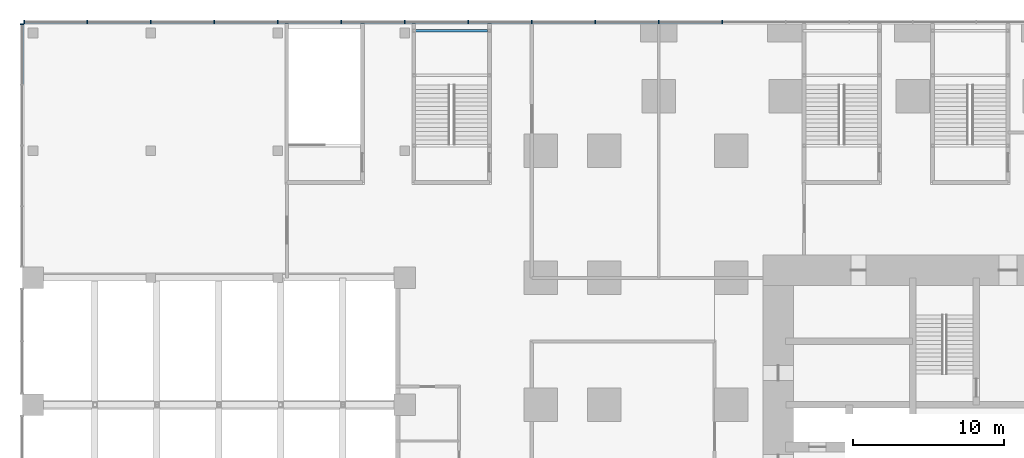
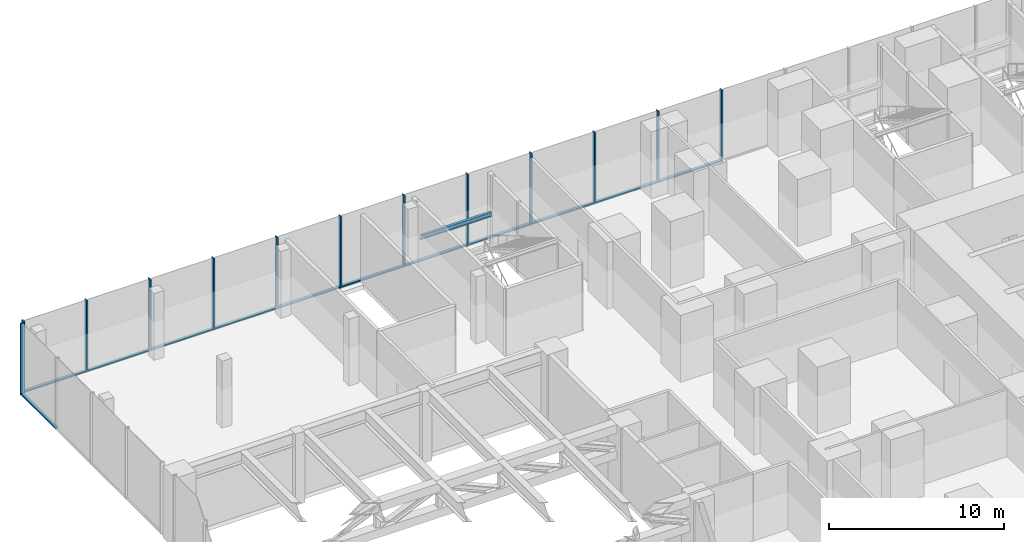
# One storey, part 21 of 33: 25 members, 1 beam, 2 elements without a shape of their own.
"""IFC4 building model written with IfcOpenShell, lengths in metres."""

from ifc_helpers import new_model, si_unit, direction, frame, origin, origin_2d, place, context, subcontext, project, spatial, rectangle, i_section, extrude, material, material_profile, profile_set, type_object, element, aggregate, save


model = new_model("IFC4")

# Units and contexts
model_context = context("Model", 3, precision=1e-05, world=origin(), true_north=direction((0.0, 1.0)))
body_context = subcontext(model_context, "Body", "Model", "MODEL_VIEW")
ifc_project = project(units=[si_unit("LENGTHUNIT", "METRE"), si_unit("AREAUNIT", "SQUARE_METRE"), si_unit("VOLUMEUNIT", "CUBIC_METRE"), si_unit("PLANEANGLEUNIT", "RADIAN"), si_unit("MASSUNIT", "GRAM", prefix="KILO")], contexts=[model_context])

# Site, building, storey
site_placement = place(None, origin())
site = spatial("IfcSite", under=ifc_project, at=site_placement, CompositionType="ELEMENT")
building_placement = place(site_placement, origin())
building = spatial("IfcBuilding", under=site, at=building_placement, Name="Dunama Terrace Hotel", CompositionType="ELEMENT")
storey_placement = place(building_placement, frame((0.0, 0.0, 12.0)))
storey = spatial("IfcBuildingStorey", under=building, at=storey_placement, Name="L02", CompositionType="ELEMENT", Elevation=12.0)

# Curtain wall, members
ifc_material_1 = material(Name="Aluminium curtain wall system", Category="aluminium")
curtain_wall_type = type_object("IfcCurtainWallType", Name="Podium storefront glazing CW-E", PredefinedType="NOTDEFINED", material=ifc_material_1)
curtain_wall_1_placement = place(storey_placement, origin())
curtain_wall_1 = element("IfcCurtainWall", 1, at=curtain_wall_1_placement, inside=storey, type_object=curtain_wall_type, Name="Podium storefront glazing CW-E L02", PredefinedType="NOTDEFINED")
ifc_material_2 = material(Name="Aluminium mullion", Category="aluminium")
ifc_material_profile_1 = material_profile(ifc_material_2, rectangle(XDim=0.080078125, YDim=0.25, at=origin_2d()), Name="CWE MULLION 80X250")
ifc_profile_set_1 = profile_set([ifc_material_profile_1], Name="Aluminium mullion")
member_type_1 = type_object("IfcMemberType", Name="CWE mullion 80x250", PredefinedType="MULLION", material=ifc_profile_set_1)
member_1_placement = place(storey_placement, frame((12.60009765625, 58.925048828125, 0.0), z_axis=(0.0, 0.0, 1.0), x_axis=(-1.0, 0.0, 0.0)))
member_1 = element("IfcMember", 2, at=member_1_placement, type_object=member_type_1, Name="CWE mullion", PredefinedType="MULLION", context=body_context, shape_type="SweptSolid", body=[
    extrude(rectangle(XDim=0.080078125, YDim=0.25, at=origin_2d()), origin(), (0.0, 0.0, 1.0), 5.0),
])
member_2_placement = place(storey_placement, frame((8.39990234375, 58.925048828125, 0.0), z_axis=(0.0, 0.0, 1.0), x_axis=(-1.0, 0.0, 0.0)))
member_2 = element("IfcMember", 3, at=member_2_placement, type_object=member_type_1, Name="CWE mullion", PredefinedType="MULLION", context=body_context, shape_type="SweptSolid", body=[
    extrude(rectangle(XDim=0.080078125, YDim=0.25, at=origin_2d()), origin(), (0.0, 0.0, 1.0), 5.0),
])
member_3_placement = place(storey_placement, frame((4.199951171875, 58.925048828125, 0.0), z_axis=(0.0, 0.0, 1.0), x_axis=(-1.0, 0.0, 0.0)))
member_3 = element("IfcMember", 4, at=member_3_placement, type_object=member_type_1, Name="CWE mullion", PredefinedType="MULLION", context=body_context, shape_type="SweptSolid", body=[
    extrude(rectangle(XDim=0.080078125, YDim=0.25, at=origin_2d()), origin(), (0.0, 0.0, 1.0), 5.0),
])
member_4_placement = place(storey_placement, frame((0.0, 58.925048828125, 0.0), z_axis=(0.0, 0.0, 1.0), x_axis=(-1.0, 0.0, 0.0)))
member_4 = element("IfcMember", 5, at=member_4_placement, type_object=member_type_1, Name="CWE mullion", PredefinedType="MULLION", context=body_context, shape_type="SweptSolid", body=[
    extrude(rectangle(XDim=0.080078125, YDim=0.25, at=origin_2d()), origin(), (0.0, 0.0, 1.0), 5.0),
])
member_5_placement = place(storey_placement, frame((-4.199951171875, 58.925048828125, 0.0), z_axis=(0.0, 0.0, 1.0), x_axis=(-1.0, 0.0, 0.0)))
member_5 = element("IfcMember", 6, at=member_5_placement, type_object=member_type_1, Name="CWE mullion", PredefinedType="MULLION", context=body_context, shape_type="SweptSolid", body=[
    extrude(rectangle(XDim=0.080078125, YDim=0.25, at=origin_2d()), origin(), (0.0, 0.0, 1.0), 5.0),
])
member_6_placement = place(storey_placement, frame((-8.39990234375, 58.925048828125, 0.0), z_axis=(0.0, 0.0, 1.0), x_axis=(-1.0, 0.0, 0.0)))
member_6 = element("IfcMember", 7, at=member_6_placement, type_object=member_type_1, Name="CWE mullion", PredefinedType="MULLION", context=body_context, shape_type="SweptSolid", body=[
    extrude(rectangle(XDim=0.080078125, YDim=0.25, at=origin_2d()), origin(), (0.0, 0.0, 1.0), 5.0),
])
member_7_placement = place(storey_placement, frame((-12.60009765625, 58.925048828125, 0.0), z_axis=(0.0, 0.0, 1.0), x_axis=(-1.0, 0.0, 0.0)))
member_7 = element("IfcMember", 8, at=member_7_placement, type_object=member_type_1, Name="CWE mullion", PredefinedType="MULLION", context=body_context, shape_type="SweptSolid", body=[
    extrude(rectangle(XDim=0.080078125, YDim=0.25, at=origin_2d()), origin(), (0.0, 0.0, 1.0), 5.0),
])
member_8_placement = place(storey_placement, frame((-16.800048828125, 58.925048828125, 0.0), z_axis=(0.0, 0.0, 1.0), x_axis=(-1.0, 0.0, 0.0)))
member_8 = element("IfcMember", 9, at=member_8_placement, type_object=member_type_1, Name="CWE mullion", PredefinedType="MULLION", context=body_context, shape_type="SweptSolid", body=[
    extrude(rectangle(XDim=0.080078125, YDim=0.25, at=origin_2d()), origin(), (0.0, 0.0, 1.0), 5.0),
])
member_9_placement = place(storey_placement, frame((-21.0, 58.925048828125, 0.0), z_axis=(0.0, 0.0, 1.0), x_axis=(-1.0, 0.0, 0.0)))
member_9 = element("IfcMember", 10, at=member_9_placement, type_object=member_type_1, Name="CWE mullion", PredefinedType="MULLION", context=body_context, shape_type="SweptSolid", body=[
    extrude(rectangle(XDim=0.080078125, YDim=0.25, at=origin_2d()), origin(), (0.0, 0.0, 1.0), 5.0),
])
member_10_placement = place(storey_placement, frame((-25.199951171875, 58.925048828125, 0.0), z_axis=(0.0, 0.0, 1.0), x_axis=(-1.0, 0.0, 0.0)))
member_10 = element("IfcMember", 11, at=member_10_placement, type_object=member_type_1, Name="CWE mullion", PredefinedType="MULLION", context=body_context, shape_type="SweptSolid", body=[
    extrude(rectangle(XDim=0.080078125, YDim=0.25, at=origin_2d()), origin(), (0.0, 0.0, 1.0), 5.0),
])
member_11_placement = place(storey_placement, frame((-29.39990234375, 58.925048828125, 0.0), z_axis=(0.0, 0.0, 1.0), x_axis=(-1.0, 0.0, 0.0)))
member_11 = element("IfcMember", 12, at=member_11_placement, type_object=member_type_1, Name="CWE mullion", PredefinedType="MULLION", context=body_context, shape_type="SweptSolid", body=[
    extrude(rectangle(XDim=0.080078125, YDim=0.25, at=origin_2d()), origin(), (0.0, 0.0, 1.0), 5.0),
])
member_12_placement = place(storey_placement, frame((-33.56005859375, 58.925048828125, 0.0), z_axis=(0.0, 0.0, 1.0), x_axis=(-1.0, 0.0, 0.0)))
member_12 = element("IfcMember", 13, at=member_12_placement, type_object=member_type_1, Name="CWE mullion", PredefinedType="MULLION", context=body_context, shape_type="SweptSolid", body=[
    extrude(rectangle(XDim=0.080078125, YDim=0.25, at=origin_2d()), origin(), (0.0, 0.0, 1.0), 5.0),
])

# Curtain wall, member
curtain_wall_2_placement = place(storey_placement, origin())
curtain_wall_2 = element("IfcCurtainWall", 14, at=curtain_wall_2_placement, inside=storey, type_object=curtain_wall_type, Name="Podium storefront glazing CW-E L02", PredefinedType="NOTDEFINED")
member_13_placement = place(storey_placement, frame((-33.72509765625, 58.760009765625, 0.0), z_axis=(0.0, 0.0, 1.0), x_axis=(0.0, -1.0, 0.0)))
member_13 = element("IfcMember", 15, at=member_13_placement, type_object=member_type_1, Name="CWE mullion", PredefinedType="MULLION", context=body_context, shape_type="SweptSolid", body=[
    extrude(rectangle(XDim=0.080078125, YDim=0.25, at=origin_2d()), origin(), (0.0, 0.0, 1.0), 5.0),
])

# Member
ifc_material_3 = material(Name="Aluminium transom", Category="aluminium")
ifc_material_profile_2 = material_profile(ifc_material_3, rectangle(XDim=0.199951171875, YDim=0.090087890625, at=origin_2d()), Name="CWE TRANSOM 200X90")
ifc_profile_set_2 = profile_set([ifc_material_profile_2], Name="Aluminium transom")
member_type_2 = type_object("IfcMemberType", Name="CWE transom 200x90", PredefinedType="USERDEFINED", material=ifc_profile_set_2)
member_14_placement = place(storey_placement, frame((12.56005859375, 58.925048828125, 0.044921875), z_axis=(-1.0, 0.0, 0.0), x_axis=(0.0, -1.0, 0.0)))
member_14 = element("IfcMember", 16, at=member_14_placement, type_object=member_type_2, Name="CWE transom", ObjectType="TRANSOM", PredefinedType="USERDEFINED", context=body_context, shape_type="SweptSolid", body=[
    extrude(rectangle(XDim=0.199951171875, YDim=0.090087890625, at=origin_2d()), origin(), (0.0, 0.0, 1.0), 4.1201171875),
])

member_15_placement = place(storey_placement, frame((8.360107421875, 58.925048828125, 0.044921875), z_axis=(-1.0, 0.0, 0.0), x_axis=(0.0, -1.0, 0.0)))
member_15 = element("IfcMember", 17, at=member_15_placement, type_object=member_type_2, Name="CWE transom", ObjectType="TRANSOM", PredefinedType="USERDEFINED", context=body_context, shape_type="SweptSolid", body=[
    extrude(rectangle(XDim=0.199951171875, YDim=0.090087890625, at=origin_2d()), origin(), (0.0, 0.0, 1.0), 4.1201171875),
])

member_16_placement = place(storey_placement, frame((4.159912109375, 58.925048828125, 0.044921875), z_axis=(-1.0, 0.0, 0.0), x_axis=(0.0, -1.0, 0.0)))
member_16 = element("IfcMember", 18, at=member_16_placement, type_object=member_type_2, Name="CWE transom", ObjectType="TRANSOM", PredefinedType="USERDEFINED", context=body_context, shape_type="SweptSolid", body=[
    extrude(rectangle(XDim=0.199951171875, YDim=0.090087890625, at=origin_2d()), origin(), (0.0, 0.0, 1.0), 4.119873046875),
])

member_17_placement = place(storey_placement, frame((-0.0400390625, 58.925048828125, 0.044921875), z_axis=(-1.0, 0.0, 0.0), x_axis=(0.0, -1.0, 0.0)))
member_17 = element("IfcMember", 19, at=member_17_placement, type_object=member_type_2, Name="CWE transom", ObjectType="TRANSOM", PredefinedType="USERDEFINED", context=body_context, shape_type="SweptSolid", body=[
    extrude(rectangle(XDim=0.199951171875, YDim=0.090087890625, at=origin_2d()), origin(), (0.0, 0.0, 1.0), 4.119873046875),
])

member_18_placement = place(storey_placement, frame((-4.239990234375, 58.925048828125, 0.044921875), z_axis=(-1.0, 0.0, 0.0), x_axis=(0.0, -1.0, 0.0)))
member_18 = element("IfcMember", 20, at=member_18_placement, type_object=member_type_2, Name="CWE transom", ObjectType="TRANSOM", PredefinedType="USERDEFINED", context=body_context, shape_type="SweptSolid", body=[
    extrude(rectangle(XDim=0.199951171875, YDim=0.090087890625, at=origin_2d()), origin(), (0.0, 0.0, 1.0), 4.1201171875),
])

member_19_placement = place(storey_placement, frame((-8.43994140625, 58.925048828125, 0.044921875), z_axis=(-1.0, 0.0, 0.0), x_axis=(0.0, -1.0, 0.0)))
member_19 = element("IfcMember", 21, at=member_19_placement, type_object=member_type_2, Name="CWE transom", ObjectType="TRANSOM", PredefinedType="USERDEFINED", context=body_context, shape_type="SweptSolid", body=[
    extrude(rectangle(XDim=0.199951171875, YDim=0.090087890625, at=origin_2d()), origin(), (0.0, 0.0, 1.0), 4.1201171875),
])

member_20_placement = place(storey_placement, frame((-12.639892578125, 58.925048828125, 0.044921875), z_axis=(-1.0, 0.0, 0.0), x_axis=(0.0, -1.0, 0.0)))
member_20 = element("IfcMember", 22, at=member_20_placement, type_object=member_type_2, Name="CWE transom", ObjectType="TRANSOM", PredefinedType="USERDEFINED", context=body_context, shape_type="SweptSolid", body=[
    extrude(rectangle(XDim=0.199951171875, YDim=0.090087890625, at=origin_2d()), origin(), (0.0, 0.0, 1.0), 4.1201171875),
])

member_21_placement = place(storey_placement, frame((-16.840087890625, 58.925048828125, 0.044921875), z_axis=(-1.0, 0.0, 0.0), x_axis=(0.0, -1.0, 0.0)))
member_21 = element("IfcMember", 23, at=member_21_placement, type_object=member_type_2, Name="CWE transom", ObjectType="TRANSOM", PredefinedType="USERDEFINED", context=body_context, shape_type="SweptSolid", body=[
    extrude(rectangle(XDim=0.199951171875, YDim=0.090087890625, at=origin_2d()), origin(), (0.0, 0.0, 1.0), 4.119873046875),
])

member_22_placement = place(storey_placement, frame((-21.0400390625, 58.925048828125, 0.044921875), z_axis=(-1.0, 0.0, 0.0), x_axis=(0.0, -1.0, 0.0)))
member_22 = element("IfcMember", 24, at=member_22_placement, type_object=member_type_2, Name="CWE transom", ObjectType="TRANSOM", PredefinedType="USERDEFINED", context=body_context, shape_type="SweptSolid", body=[
    extrude(rectangle(XDim=0.199951171875, YDim=0.090087890625, at=origin_2d()), origin(), (0.0, 0.0, 1.0), 4.119873046875),
])

member_23_placement = place(storey_placement, frame((-25.239990234375, 58.925048828125, 0.044921875), z_axis=(-1.0, 0.0, 0.0), x_axis=(0.0, -1.0, 0.0)))
member_23 = element("IfcMember", 25, at=member_23_placement, type_object=member_type_2, Name="CWE transom", ObjectType="TRANSOM", PredefinedType="USERDEFINED", context=body_context, shape_type="SweptSolid", body=[
    extrude(rectangle(XDim=0.199951171875, YDim=0.090087890625, at=origin_2d()), origin(), (0.0, 0.0, 1.0), 4.1201171875),
])

member_24_placement = place(storey_placement, frame((-29.43994140625, 58.925048828125, 0.044921875), z_axis=(-1.0, 0.0, 0.0), x_axis=(0.0, -1.0, 0.0)))
member_24 = element("IfcMember", 26, at=member_24_placement, type_object=member_type_2, Name="CWE transom", ObjectType="TRANSOM", PredefinedType="USERDEFINED", context=body_context, shape_type="SweptSolid", body=[
    extrude(rectangle(XDim=0.199951171875, YDim=0.090087890625, at=origin_2d()), origin(), (0.0, 0.0, 1.0), 4.080078125),
])

aggregate(curtain_wall_1, [member_1, member_2, member_3, member_4, member_5, member_6, member_7, member_8, member_9, member_10, member_11, member_12, member_14, member_15, member_16, member_17, member_18, member_19, member_20, member_21, member_22, member_23, member_24])

member_25_placement = place(storey_placement, frame((-33.72509765625, 58.719970703125, 0.044921875), z_axis=(0.0, -1.0, 0.0), x_axis=(1.0, 0.0, 0.0)))
member_25 = element("IfcMember", 27, at=member_25_placement, type_object=member_type_2, Name="CWE transom", ObjectType="TRANSOM", PredefinedType="USERDEFINED", context=body_context, shape_type="SweptSolid", body=[
    extrude(rectangle(XDim=0.199951171875, YDim=0.090087890625, at=origin_2d()), origin(), (0.0, 0.0, 1.0), 3.905029296875),
])

aggregate(curtain_wall_2, [member_13, member_25])

# Beam
ifc_material_4 = material(Name="Steel S355", Category="steel")
ifc_material_profile_3 = material_profile(ifc_material_4, i_section(OverallWidth=0.1650390625, OverallDepth=0.303466796875, WebThickness=0.006103515625, FlangeThickness=0.01025390625, FilletRadius=0.0087890625, at=origin_2d()), Name="UB 305x165x40")
ifc_profile_set_3 = profile_set([ifc_material_profile_3], Name="Steel S355")
beam_type = type_object("IfcBeamType", Name="Stair beam UB 305x165x40", PredefinedType="BEAM", material=ifc_profile_set_3)
beam_placement = place(storey_placement, frame((-7.675048828125, 58.35009765625, 2.098388671875), z_axis=(1.0, 0.0, 0.0), x_axis=(0.0, 1.0, 0.0)))
element("IfcBeam", 28, at=beam_placement, inside=storey, type_object=beam_type, Name="Stair landing beam P3 L02 far", PredefinedType="BEAM", context=body_context, shape_type="SweptSolid", body=[
    extrude(i_section(OverallWidth=0.1650390625, OverallDepth=0.303466796875, WebThickness=0.006103515625, FlangeThickness=0.01025390625, FilletRadius=0.0087890625, at=origin_2d()), origin(), (0.0, 0.0, 1.0), 4.75),
])

save(model, "model.ifc")
